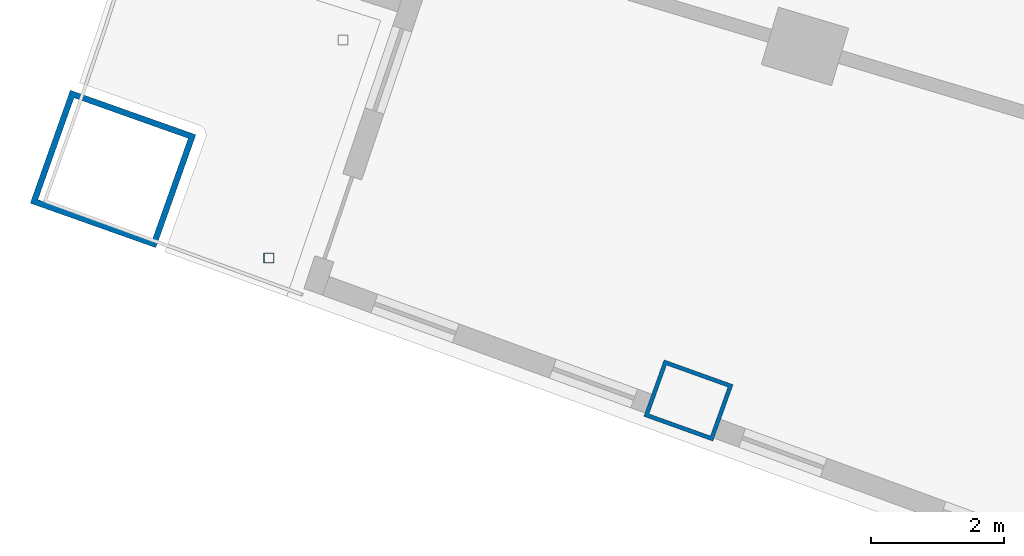
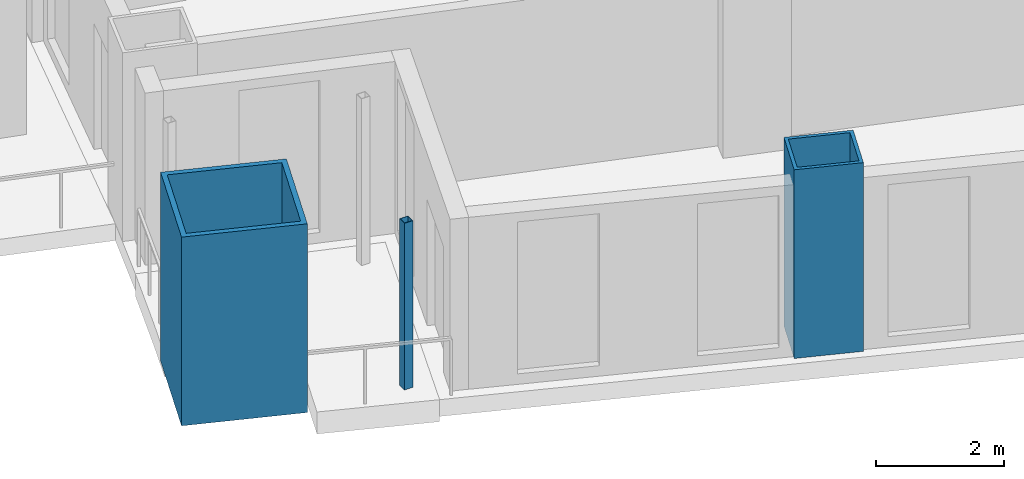
# One storey, part 1 of 25: 3 columns.
"""IFC4 building model written with IfcOpenShell, lengths in metres."""

from ifc_helpers import new_model, si_unit, direction, frame, origin, origin_2d, place, context, subcontext, project, spatial, hollow_rectangle, extrude, material, material_profile, profile_set, type_object, element, save


model = new_model("IFC4")

# Units and contexts
model_context = context("Model", 3, precision=1e-05, world=origin(), true_north=direction((0.0, 1.0)))
body_context = subcontext(model_context, "Body", "Model", "MODEL_VIEW")
ifc_project = project(units=[si_unit("LENGTHUNIT", "METRE"), si_unit("AREAUNIT", "SQUARE_METRE"), si_unit("VOLUMEUNIT", "CUBIC_METRE"), si_unit("PLANEANGLEUNIT", "RADIAN"), si_unit("MASSUNIT", "GRAM", prefix="KILO")], contexts=[model_context])

# Site, building, storey
site_placement = place(None, origin())
site = spatial("IfcSite", under=ifc_project, at=site_placement, CompositionType="ELEMENT")
building_placement = place(site_placement, origin())
building = spatial("IfcBuilding", under=site, at=building_placement, Name="Alderwake Tower", CompositionType="ELEMENT")
storey_placement = place(building_placement, frame((0.0, 0.0, 35.60009765625)))
storey = spatial("IfcBuildingStorey", under=building, at=storey_placement, Name="L07", CompositionType="ELEMENT", Elevation=35.60009765625)

# Columns
ifc_material_1 = material(Name="Steel ASTM A572 Grade 50 concrete filled C70/85", Category="concrete")
ifc_material_profile_1 = material_profile(ifc_material_1, hollow_rectangle(XDim=0.89990234375, YDim=1.10009765625, WallThickness=0.06005859375, at=origin_2d()), Name="BOX 1100X900X60")
ifc_profile_set_1 = profile_set([ifc_material_profile_1], Name="Steel ASTM A572 Grade 50 concrete filled C70/85")
column_type_1 = type_object("IfcColumnType", Name="End column Z1", PredefinedType="COLUMN", material=ifc_profile_set_1)
column_1_placement = place(storey_placement, frame((19.965576171875, 25.1484375, 0.0), z_axis=(0.0, 0.0, 1.0), x_axis=(0.337584879279, 0.9412950915, 0.0)))
element("IfcColumn", 1, at=column_1_placement, inside=storey, type_object=column_type_1, Name="Column R01-C1", PredefinedType="COLUMN", context=body_context, shape_type="SweptSolid", body=[
    extrude(hollow_rectangle(XDim=0.89990234375, YDim=1.10009765625, WallThickness=0.06005859375, at=origin_2d()), origin(), (0.0, 0.0, 1.0), 3.599853515625),
])
ifc_material_2 = material(Name="Steel ASTM A500 Grade C", Category="steel")
ifc_material_profile_2 = material_profile(ifc_material_2, hollow_rectangle(XDim=0.15234375, YDim=0.15234375, WallThickness=0.0087890625, at=origin_2d()), Name="HSS6X6X3/8")
ifc_profile_set_2 = profile_set([ifc_material_profile_2], Name="Steel ASTM A500 Grade C")
column_type_2 = type_object("IfcColumnType", Name="Light post HSS6X6X3/8", PredefinedType="COLUMN", material=ifc_profile_set_2)
column_2_placement = place(storey_placement, frame((13.66796875, 27.28759765625, 0.0), z_axis=(0.0, 0.0, 1.0), x_axis=(1.0, 0.0, 0.0)))
element("IfcColumn", 2, at=column_2_placement, inside=storey, type_object=column_type_2, Name="Terrace post RS2", PredefinedType="COLUMN", context=body_context, shape_type="SweptSolid", body=[
    extrude(hollow_rectangle(XDim=0.15234375, YDim=0.15234375, WallThickness=0.0087890625, at=origin_2d()), origin(), (0.0, 0.0, 1.0), 3.179931640625),
])
ifc_material_3 = material(Name="Steel ASTM A572 Grade 50 concrete filled C70/85", Category="concrete")
ifc_material_profile_3 = material_profile(ifc_material_3, hollow_rectangle(XDim=1.800048828125, YDim=2.0, WallThickness=0.090087890625, at=origin_2d()), Name="BOX 2000X1800X90")
ifc_profile_set_3 = profile_set([ifc_material_profile_3], Name="Steel ASTM A572 Grade 50 concrete filled C70/85")
column_type_3 = type_object("IfcColumnType", Name="Mega column Z1", PredefinedType="COLUMN", material=ifc_profile_set_3)
column_3_placement = place(storey_placement, frame((11.330810546875, 28.622802734375, 0.0), z_axis=(0.0, 0.0, 1.0), x_axis=(0.334130947791, 0.942526662609, 0.0)))
element("IfcColumn", 3, at=column_3_placement, inside=storey, type_object=column_type_3, Name="Column R01-C0", PredefinedType="COLUMN", context=body_context, shape_type="SweptSolid", body=[
    extrude(hollow_rectangle(XDim=1.800048828125, YDim=2.0, WallThickness=0.090087890625, at=origin_2d()), origin(), (0.0, 0.0, 1.0), 3.599853515625),
])

save(model, "model.ifc")
